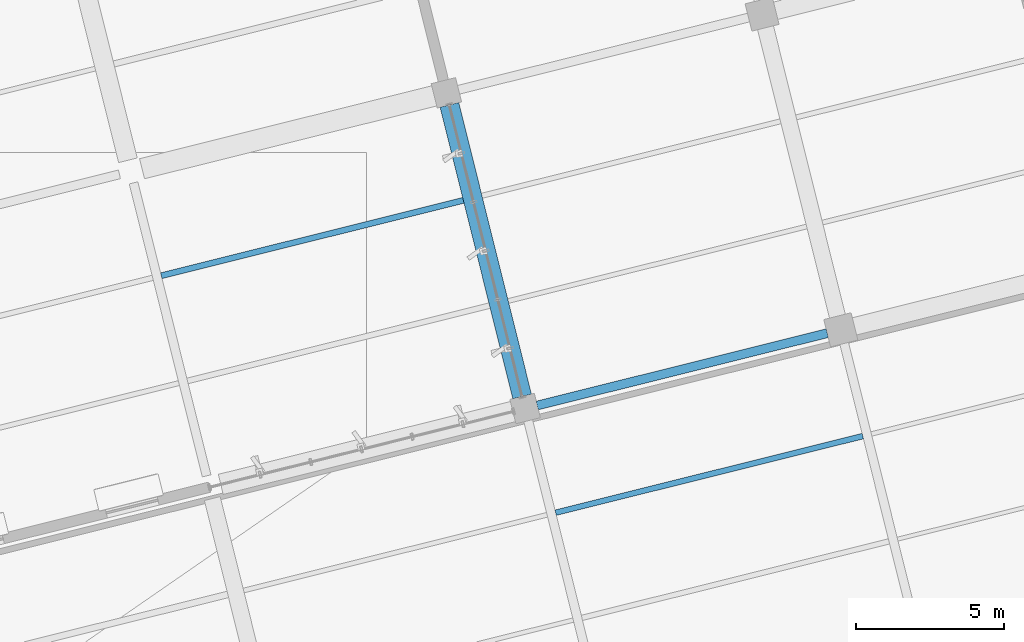
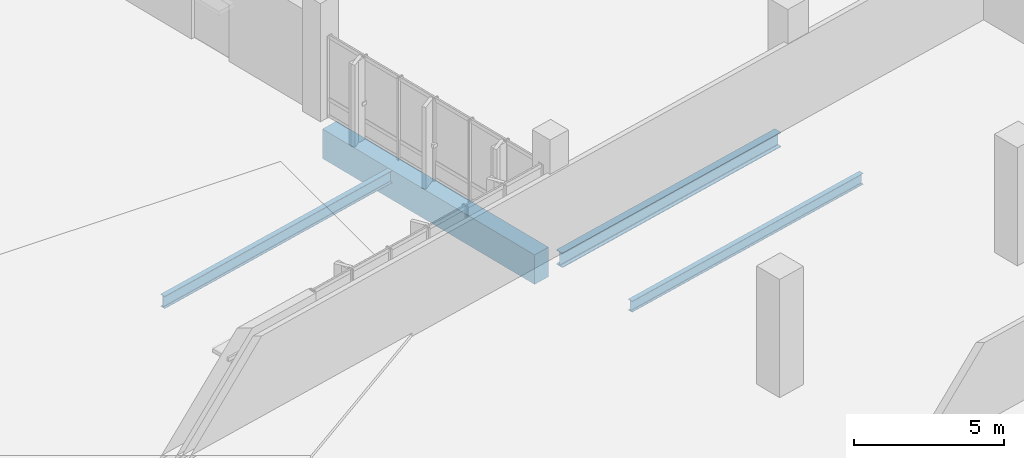
# One storey, part 73 of 137: 4 beams.
"""IFC4 building model written with IfcOpenShell, lengths in metres."""

from ifc_helpers import new_model, si_unit, direction, frame, origin, origin_2d, place, context, subcontext, project, spatial, rectangle, i_section, extrude, material, material_profile, profile_set, type_object, element, save


model = new_model("IFC4")

# Units and contexts
model_context = context("Model", 3, precision=1e-05, world=origin(), true_north=direction((0.0, 1.0)))
body_context = subcontext(model_context, "Body", "Model", "MODEL_VIEW")
ifc_project = project(units=[si_unit("LENGTHUNIT", "METRE"), si_unit("AREAUNIT", "SQUARE_METRE"), si_unit("VOLUMEUNIT", "CUBIC_METRE"), si_unit("PLANEANGLEUNIT", "RADIAN"), si_unit("MASSUNIT", "GRAM", prefix="KILO")], contexts=[model_context])

# Site, building, storey
site_placement = place(None, origin())
site = spatial("IfcSite", under=ifc_project, at=site_placement, CompositionType="ELEMENT")
building_placement = place(site_placement, origin())
building = spatial("IfcBuilding", under=site, at=building_placement, Name="Khorjan Park Terminus", CompositionType="ELEMENT")
storey_placement = place(building_placement, frame((0.0, 0.0, 11.4)))
storey = spatial("IfcBuildingStorey", under=building, at=storey_placement, Name="L02", CompositionType="ELEMENT", Elevation=11.4)

# Beams
ifc_material_1 = material(Name="Steel S355", Category="steel")
ifc_material_profile_1 = material_profile(ifc_material_1, i_section(OverallWidth=0.3, OverallDepth=0.59, WebThickness=0.013, FlangeThickness=0.025, FilletRadius=0.027, at=origin_2d()), Name="HEA 600")
ifc_profile_set_1 = profile_set([ifc_material_profile_1], Name="Steel S355")
beam_type_1 = type_object("IfcBeamType", Name="BM-HEA600", PredefinedType="BEAM", material=ifc_profile_set_1)
beam_1_placement = place(storey_placement, frame((179.7706, 39.4436, -0.645), z_axis=(0.970294168541, 0.241928143249, 0.0), x_axis=(-0.241928143249, 0.970294168541, 0.0)))
element("IfcBeam", 1, at=beam_1_placement, inside=storey, type_object=beam_type_1, Name="Primary skew-grid floor girder SB-A60 (L02)", PredefinedType="BEAM", context=body_context, shape_type="SweptSolid", body=[
    extrude(i_section(OverallWidth=0.3, OverallDepth=0.59, WebThickness=0.013, FlangeThickness=0.025, FilletRadius=0.027, at=origin_2d()), origin(), (0.0, 0.0, 1.0), 10.11),
])
ifc_material_2 = material(Name="Concrete C40/50", Category="concrete")
ifc_material_profile_2 = material_profile(ifc_material_2, rectangle(XDim=0.65, YDim=1.2, at=origin_2d()), Name="RC 650x1200")
ifc_profile_set_2 = profile_set([ifc_material_profile_2], Name="Concrete C40/50")
beam_type_2 = type_object("IfcBeamType", Name="BM-RC650x1200", PredefinedType="BEAM", material=ifc_profile_set_2)
beam_2_placement = place(storey_placement, frame((179.2615, 39.7496, -0.94), z_axis=(-0.241928816007, 0.970294000798, 0.0), x_axis=(-0.970294000798, -0.241928816007, 0.0)))
element("IfcBeam", 2, at=beam_2_placement, inside=storey, type_object=beam_type_2, Name="Primary skew-grid floor girder GB-12 (L02)", PredefinedType="BEAM", context=body_context, shape_type="SweptSolid", body=[
    extrude(rectangle(XDim=0.65, YDim=1.2, at=origin_2d()), origin(), (0.0, 0.0, 1.0), 10.16),
])
ifc_material_profile_3 = material_profile(ifc_material_1, i_section(OverallWidth=0.19, OverallDepth=0.45, WebThickness=0.0094, FlangeThickness=0.0146, FilletRadius=0.021, at=origin_2d()), Name="IPE 450")
ifc_profile_set_3 = profile_set([ifc_material_profile_3], Name="Steel S355")
beam_type_3 = type_object("IfcBeamType", Name="JS-IPE450", PredefinedType="JOIST", material=ifc_profile_set_3)
beam_3_placement = place(storey_placement, frame((180.3957, 35.8205, -0.575), z_axis=(0.970294591155, 0.241926448278, 0.0), x_axis=(-0.241926448278, 0.970294591155, 0.0)))
element("IfcBeam", 3, at=beam_3_placement, inside=storey, type_object=beam_type_3, Name="Secondary composite floor joist SJ-45 (L02)", PredefinedType="JOIST", context=body_context, shape_type="SweptSolid", body=[
    extrude(i_section(OverallWidth=0.19, OverallDepth=0.45, WebThickness=0.0094, FlangeThickness=0.0146, FilletRadius=0.021, at=origin_2d()), origin(), (0.0, 0.0, 1.0), 10.6999),
])
ifc_material_profile_4 = material_profile(ifc_material_1, i_section(OverallWidth=0.2, OverallDepth=0.5, WebThickness=0.0102, FlangeThickness=0.016, FilletRadius=0.021, at=origin_2d()), Name="IPE 500")
ifc_profile_set_4 = profile_set([ifc_material_profile_4], Name="Steel S355")
beam_type_4 = type_object("IfcBeamType", Name="JS-IPE500", PredefinedType="JOIST", material=ifc_profile_set_4)
beam_4_placement = place(storey_placement, frame((167.0613, 43.8327, -0.59), z_axis=(0.970296558074, 0.241918559415, 0.0), x_axis=(-0.241918559415, 0.970296558074, 0.0)))
element("IfcBeam", 4, at=beam_4_placement, inside=storey, type_object=beam_type_4, Name="Secondary composite floor joist SJ-50 (L02)", PredefinedType="JOIST", context=body_context, shape_type="SweptSolid", body=[
    extrude(i_section(OverallWidth=0.2, OverallDepth=0.5, WebThickness=0.0102, FlangeThickness=0.016, FilletRadius=0.021, at=origin_2d()), origin(), (0.0, 0.0, 1.0), 10.525),
])

save(model, "model.ifc")
